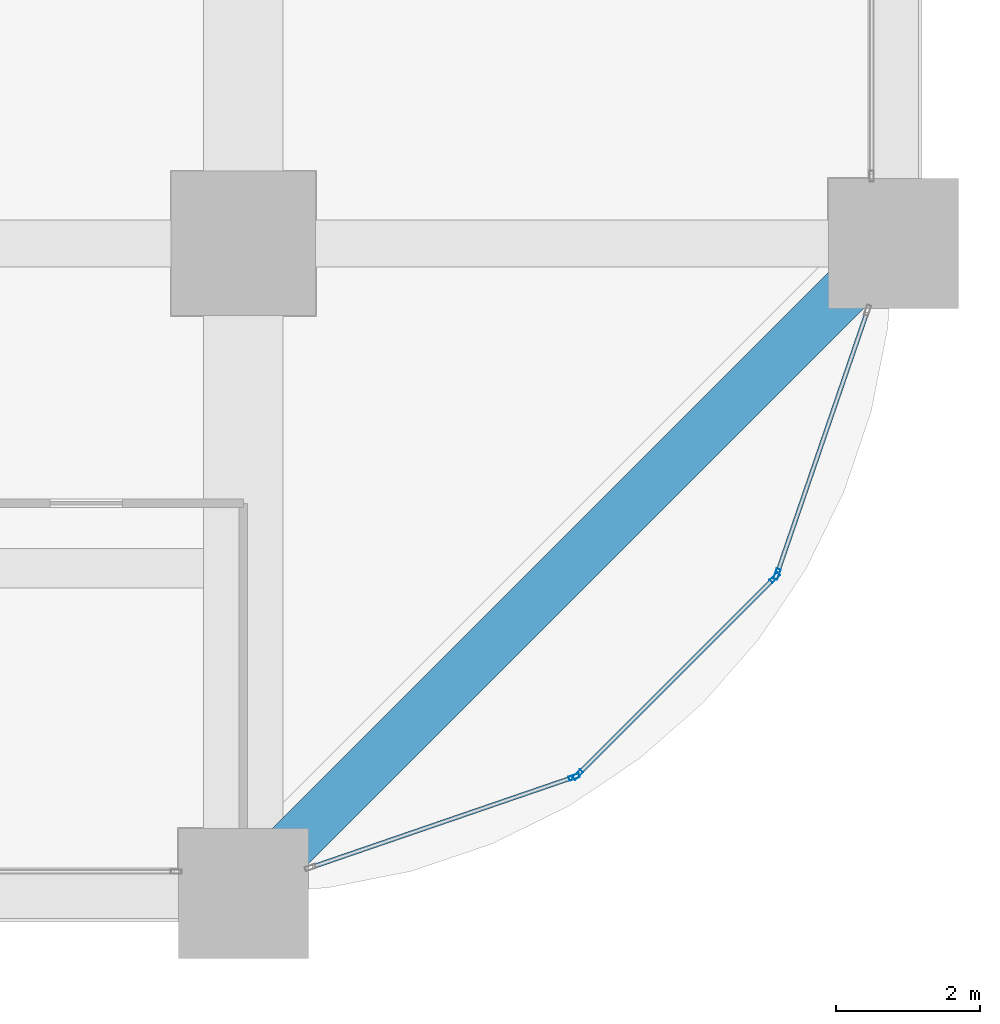
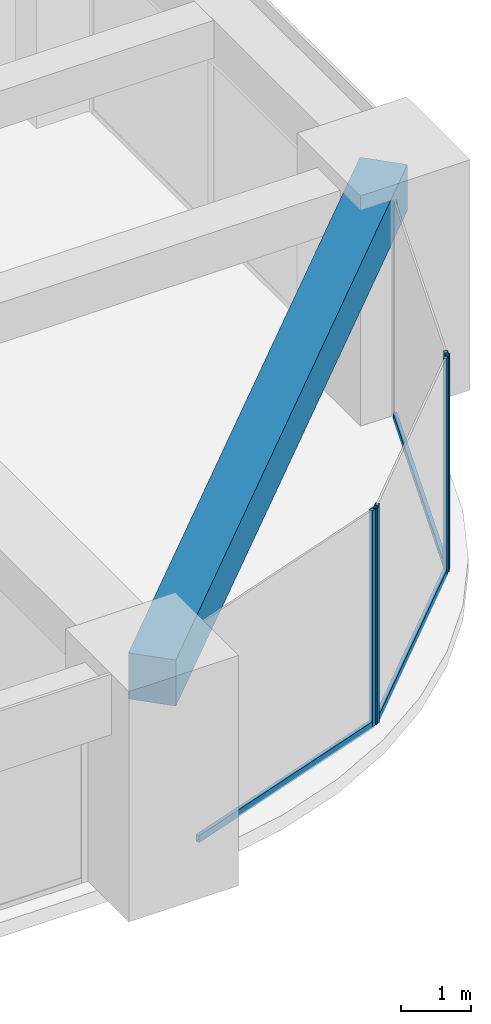
# One storey, part 17 of 41: 7 members, 1 beam, 3 elements without a shape of their own.
"""IFC4 building model written with IfcOpenShell, lengths in metres."""

from ifc_helpers import new_model, si_unit, direction, frame, origin, origin_2d, place, context, subcontext, project, spatial, rectangle, hollow_rectangle, extrude, material, material_profile, profile_set, type_object, element, aggregate, save


model = new_model("IFC4")

# Units and contexts
model_context = context("Model", 3, precision=1e-05, world=origin(), true_north=direction((0.0, 1.0)))
body_context = subcontext(model_context, "Body", "Model", "MODEL_VIEW")
ifc_project = project(units=[si_unit("LENGTHUNIT", "METRE"), si_unit("AREAUNIT", "SQUARE_METRE"), si_unit("VOLUMEUNIT", "CUBIC_METRE"), si_unit("PLANEANGLEUNIT", "RADIAN"), si_unit("MASSUNIT", "GRAM", prefix="KILO")], contexts=[model_context])

# Site, building, storey
site_placement = place(None, origin())
site = spatial("IfcSite", under=ifc_project, at=site_placement, CompositionType="ELEMENT")
building_placement = place(site_placement, origin())
building = spatial("IfcBuilding", under=site, at=building_placement, Name="Zorevar Civic Tower", CompositionType="ELEMENT")
storey_placement = place(building_placement, frame((0.0, 0.0, 105.0)))
storey = spatial("IfcBuildingStorey", under=building, at=storey_placement, Name="L25", CompositionType="ELEMENT", Elevation=105.0)

# Curtain wall, member
ifc_material_1 = material(Name="Dark grey solar-control glass in black aluminium frame", Category="aluminium")
curtain_wall_type = type_object("IfcCurtainWallType", Name="Curtain wall CW3 mid zone", PredefinedType="NOTDEFINED", material=ifc_material_1)
curtain_wall_1_placement = place(storey_placement, origin())
curtain_wall_1 = element("IfcCurtainWall", 1, at=curtain_wall_1_placement, inside=storey, type_object=curtain_wall_type, Name="CW3 L25", PredefinedType="NOTDEFINED")
ifc_material_2 = material(Name="Aluminium, black anodised", Category="aluminium")
ifc_material_profile_1 = material_profile(ifc_material_2, hollow_rectangle(XDim=0.06005859375, YDim=0.14990234375, WallThickness=0.00390625, at=origin_2d()), Name="AL 150x60x4")
ifc_profile_set_1 = profile_set([ifc_material_profile_1], Name="Aluminium, black anodised")
member_type_1 = type_object("IfcMemberType", Name="CW3 mullion AL 150x60x4", PredefinedType="MULLION", material=ifc_profile_set_1)
member_1_placement = place(storey_placement, frame((58.579345703125, 1.610595703125, 0.0), z_axis=(0.0, 0.0, 1.0), x_axis=(-0.324878466857, 0.945755772794, 0.0)))
member_1 = element("IfcMember", 2, at=member_1_placement, type_object=member_type_1, Name="CW3 mullion 2", PredefinedType="MULLION", context=body_context, shape_type="SweptSolid", body=[
    extrude(hollow_rectangle(XDim=0.06005859375, YDim=0.14990234375, WallThickness=0.00390625, at=origin_2d()), origin(), (0.0, 0.0, 1.0), 3.75),
])

# Curtain wall, members
curtain_wall_2_placement = place(storey_placement, origin())
curtain_wall_2 = element("IfcCurtainWall", 3, at=curtain_wall_2_placement, inside=storey, type_object=curtain_wall_type, Name="CW3 L25", PredefinedType="NOTDEFINED")
member_2_placement = place(storey_placement, frame((58.62890625, 1.6416015625, 0.0), z_axis=(0.0, 0.0, 1.0), x_axis=(-0.707106781187, 0.707106781187, 0.0)))
member_2 = element("IfcMember", 4, at=member_2_placement, type_object=member_type_1, Name="CW3 mullion 1", PredefinedType="MULLION", context=body_context, shape_type="SweptSolid", body=[
    extrude(hollow_rectangle(XDim=0.06005859375, YDim=0.14990234375, WallThickness=0.00390625, at=origin_2d()), origin(), (0.0, 0.0, 1.0), 3.75),
])
member_3_placement = place(storey_placement, frame((61.3583984375, 4.37109375, 0.0), z_axis=(0.0, 0.0, 1.0), x_axis=(-0.707106781187, 0.707106781187, 0.0)))
member_3 = element("IfcMember", 5, at=member_3_placement, type_object=member_type_1, Name="CW3 mullion 2", PredefinedType="MULLION", context=body_context, shape_type="SweptSolid", body=[
    extrude(hollow_rectangle(XDim=0.06005859375, YDim=0.14990234375, WallThickness=0.00390625, at=origin_2d()), origin(), (0.0, 0.0, 1.0), 3.75),
])

# Curtain wall, member
curtain_wall_3_placement = place(storey_placement, origin())
curtain_wall_3 = element("IfcCurtainWall", 6, at=curtain_wall_3_placement, inside=storey, type_object=curtain_wall_type, Name="CW3 L25", PredefinedType="NOTDEFINED")
member_4_placement = place(storey_placement, frame((61.389404296875, 4.420654296875, 0.0), z_axis=(0.0, 0.0, 1.0), x_axis=(-0.945755772794, 0.324878466857, 0.0)))
member_4 = element("IfcMember", 7, at=member_4_placement, type_object=member_type_1, Name="CW3 mullion 1", PredefinedType="MULLION", context=body_context, shape_type="SweptSolid", body=[
    extrude(hollow_rectangle(XDim=0.06005859375, YDim=0.14990234375, WallThickness=0.00390625, at=origin_2d()), origin(), (0.0, 0.0, 1.0), 3.75),
])

# Member
ifc_material_3 = material(Name="Aluminium, black anodised", Category="aluminium")
ifc_material_profile_2 = material_profile(ifc_material_3, hollow_rectangle(XDim=0.06005859375, YDim=0.1201171875, WallThickness=0.0029296875, at=origin_2d()), Name="AL 120x60x3")
ifc_profile_set_2 = profile_set([ifc_material_profile_2], Name="Aluminium, black anodised")
member_type_2 = type_object("IfcMemberType", Name="CW3 transom AL 120x60x3", PredefinedType="USERDEFINED", material=ifc_profile_set_2)
member_5_placement = place(storey_placement, frame((54.956787109375, 0.3662109375, 0.030029296875), z_axis=(0.945752620422, 0.324887643602, 0.0), x_axis=(-0.324887643602, 0.945752620422, 0.0)))
member_5 = element("IfcMember", 8, at=member_5_placement, type_object=member_type_2, Name="CW3 sill transom", ObjectType="TRANSOM", PredefinedType="USERDEFINED", context=body_context, shape_type="SweptSolid", body=[
    extrude(hollow_rectangle(XDim=0.06005859375, YDim=0.1201171875, WallThickness=0.0029296875, at=origin_2d()), origin(), (0.0, 0.0, 1.0), 3.800048828125),
])

aggregate(curtain_wall_1, [member_1, member_5])

member_6_placement = place(storey_placement, frame((58.650146484375, 1.662841796875, 0.030029296875), z_axis=(0.707106781187, 0.707106781187, 0.0), x_axis=(-0.707106781187, 0.707106781187, 0.0)))
member_6 = element("IfcMember", 9, at=member_6_placement, type_object=member_type_2, Name="CW3 sill transom", ObjectType="TRANSOM", PredefinedType="USERDEFINED", context=body_context, shape_type="SweptSolid", body=[
    extrude(hollow_rectangle(XDim=0.06005859375, YDim=0.1201171875, WallThickness=0.0029296875, at=origin_2d()), origin(), (0.0, 0.0, 1.0), 3.800048828125),
])

aggregate(curtain_wall_2, [member_2, member_3, member_6])

member_7_placement = place(storey_placement, frame((61.399169921875, 4.44921875, 0.030029296875), z_axis=(0.324887643602, 0.945752620422, 0.0), x_axis=(-0.945752620422, 0.324887643602, 0.0)))
member_7 = element("IfcMember", 10, at=member_7_placement, type_object=member_type_2, Name="CW3 sill transom", ObjectType="TRANSOM", PredefinedType="USERDEFINED", context=body_context, shape_type="SweptSolid", body=[
    extrude(hollow_rectangle(XDim=0.06005859375, YDim=0.1201171875, WallThickness=0.0029296875, at=origin_2d()), origin(), (0.0, 0.0, 1.0), 3.800048828125),
])

aggregate(curtain_wall_3, [member_4, member_7])

# Beam
ifc_material_4 = material(Name="Concrete C50/60", Category="concrete")
ifc_material_profile_3 = material_profile(ifc_material_4, rectangle(XDim=0.699951171875, YDim=0.800048828125, at=origin_2d()), Name="RC 700x800")
ifc_profile_set_3 = profile_set([ifc_material_profile_3], Name="Concrete C50/60")
beam_type = type_object("IfcBeamType", Name="Edge beam RC 700x800", PredefinedType="SPANDREL", material=ifc_profile_set_3)
beam_placement = place(storey_placement, frame((54.0, 0.0, 3.35009765625), z_axis=(0.707106781187, 0.707106781187, 0.0), x_axis=(-0.707106781187, 0.707106781187, 0.0)))
element("IfcBeam", 11, at=beam_placement, inside=storey, type_object=beam_type, Name="Corner edge beam L26", PredefinedType="SPANDREL", context=body_context, shape_type="SweptSolid", body=[
    extrude(rectangle(XDim=0.699951171875, YDim=0.800048828125, at=origin_2d()), origin(), (0.0, 0.0, 1.0), 12.72802734375),
])

save(model, "model.ifc")
